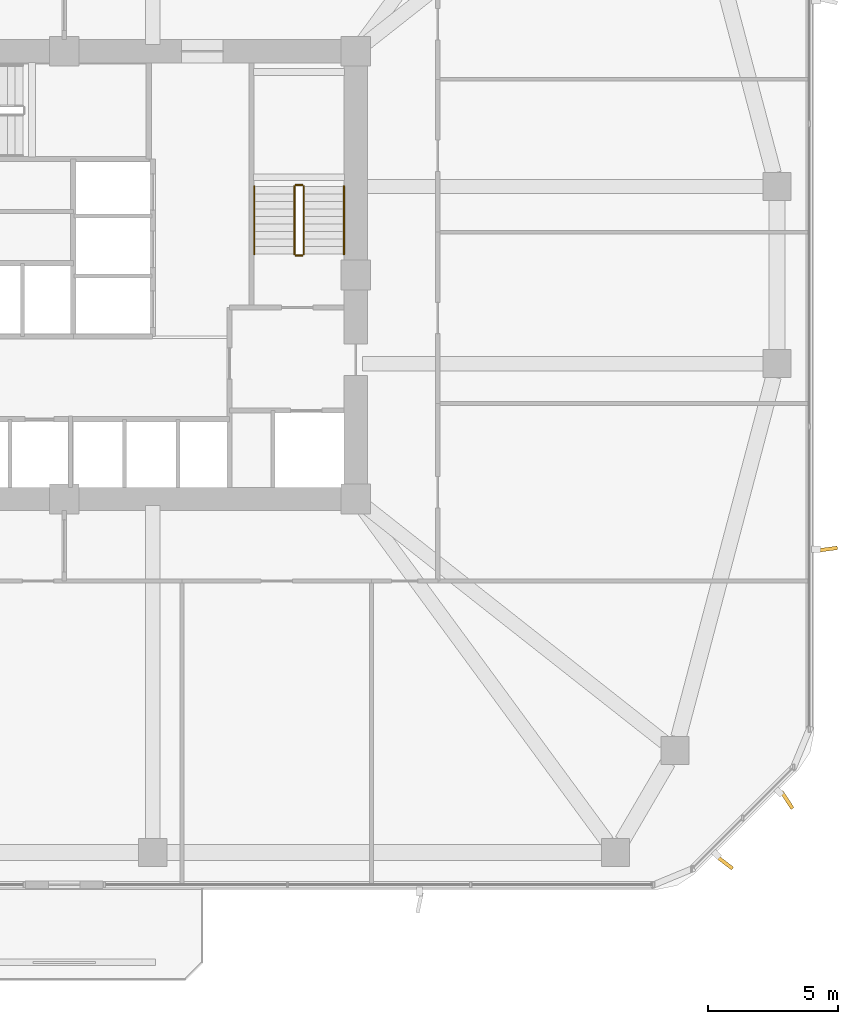
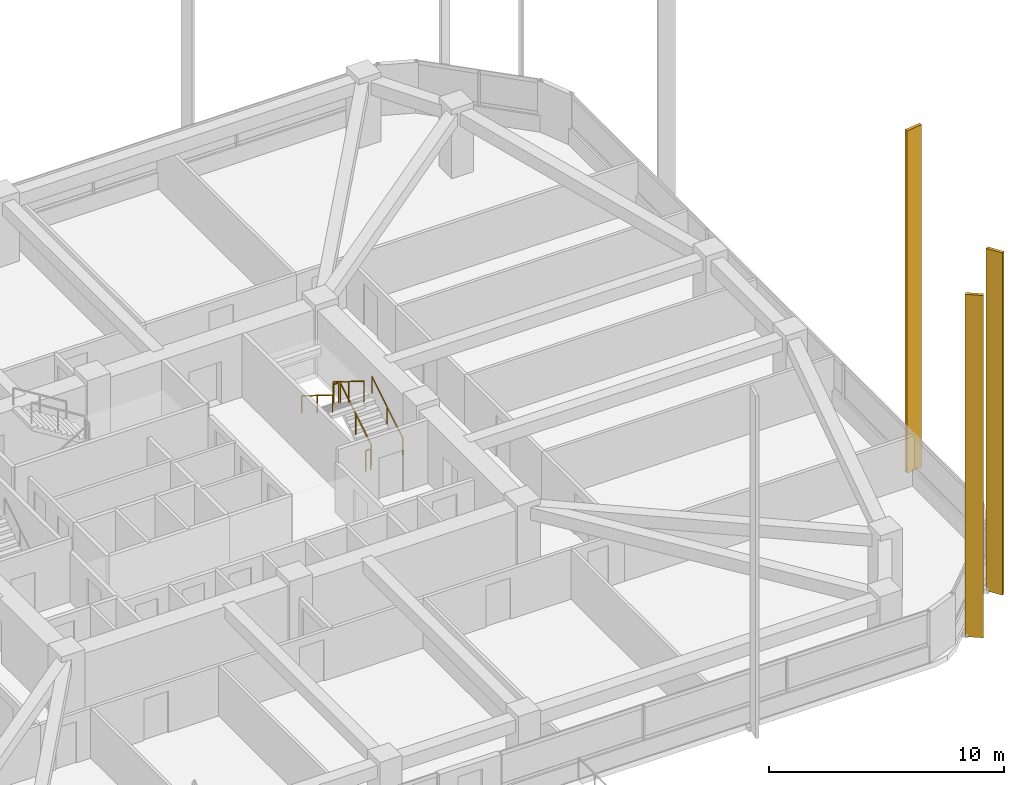
# One storey, part 15 of 17: 6 railings, 3 shading devices.
"""IFC4 building model written with IfcOpenShell, lengths in metres."""

from ifc_helpers import new_model, si_unit, derived_unit, direction, frame, origin, origin_2d, place, context, subcontext, project, spatial, rectangle, extrude, material, type_object, element, save


model = new_model("IFC4")

# Units and contexts
model_context = context("Model", 3, precision=1e-05, world=origin(), true_north=direction((0.0, 1.0)))
body_context = subcontext(model_context, "Body", "Model", "MODEL_VIEW")
ifc_project = project(units=[si_unit("LENGTHUNIT", "METRE"), si_unit("AREAUNIT", "SQUARE_METRE"), si_unit("VOLUMEUNIT", "CUBIC_METRE"), si_unit("PLANEANGLEUNIT", "RADIAN"), si_unit("MASSUNIT", "GRAM", prefix="KILO"), derived_unit("THERMALTRANSMITTANCEUNIT", [(si_unit("POWERUNIT", "WATT"), 1), (si_unit("LENGTHUNIT", "METRE"), -2), (si_unit("THERMODYNAMICTEMPERATUREUNIT", "KELVIN"), -1)])], contexts=[model_context])

# Site, building, storey
site_placement = place(None, origin())
site = spatial("IfcSite", under=ifc_project, at=site_placement, CompositionType="ELEMENT")
building_placement = place(site_placement, origin())
building = spatial("IfcBuilding", under=site, at=building_placement, Name="Koralith Skygarden Medical Center", CompositionType="ELEMENT")
storey_placement = place(building_placement, frame((0.0, 0.0, 67.139892578125)))
storey = spatial("IfcBuildingStorey", under=building, at=storey_placement, Name="L17", CompositionType="ELEMENT", Elevation=67.139892578125)

# Shading devices
ifc_material_1 = material(Name="Aluminium 6063-T6", Category="aluminium")
shading_device_type = type_object("IfcShadingDeviceType", Name="Limestone-Clad Solar Storm Fin 780", PredefinedType="USERDEFINED", material=ifc_material_1)
for number, where, z_axis, x_axis, name in (
    (1, (62.362060546875, 3.340087890625, -0.199951171875), (0.0, 0.0, 1.0), (0.795758957826, -0.605613474948, 0.0), "L17 SE Harmonic Solar Storm Fin 1"),
    (2, (64.760009765625, 5.738037109375, -0.199951171875), (0.0, 0.0, 1.0), (0.549489535238, -0.835500598841, 0.0), "L17 SE Harmonic Solar Storm Fin 2"),
    (3, (66.31005859375, 15.3701171875, -0.199951171875), (0.0, 0.0, 1.0), (0.990919950183, 0.134453160355, 0.0), "L17 E Harmonic Solar Storm Fin 1"),
):
    element("IfcShadingDevice", number, at=place(storey_placement, frame(where, z_axis=z_axis, x_axis=x_axis)), inside=storey, type_object=shading_device_type, Name=name, ObjectType="SOLAR FIN", PredefinedType="USERDEFINED", context=body_context, shape_type="SweptSolid", body=[
        extrude(rectangle(XDim=0.780029296875, YDim=0.139892578125, at=origin_2d()), origin(), (0.0, 0.0, 1.0), 17.7900390625),
    ])

# Railings
ifc_material_2 = material(Name="Steel ASTM A500 Grade C", Category="steel")
railing_type_1 = type_object("IfcRailingType", Name="Stair Flight Tubular Handrail 920", PredefinedType="HANDRAIL", material=ifc_material_2)
railing_1_placement = place(storey_placement, frame((47.75, 26.699951171875, 0.18017578125)))
element("IfcRailing", 4, at=railing_1_placement, inside=storey, type_object=railing_type_1, Name="L17 ST2 stair handrail 1", PredefinedType="HANDRAIL", context=body_context, shape_type="SweptSolid", body=[
    extrude(rectangle(XDim=0.050048828125, YDim=0.050048828125, at=origin_2d()), frame((0.0, 0.001708984375, 0.89599609375), z_axis=(0.0, 0.849668407637, 0.527317358963), x_axis=(-1.0, 0.0, 0.0)), (0.0, 0.0, 1.0), 3.06787109375),
    extrude(rectangle(XDim=0.0419921875, YDim=0.0419921875, at=origin_2d()), origin(), (0.0, 0.0, 1.0), 0.867919921875),
    extrude(rectangle(XDim=0.0419921875, YDim=0.0419921875, at=origin_2d()), frame((0.0, 1.30517578125, 0.81005859375)), (0.0, 0.0, 1.0), 0.867919921875),
    extrude(rectangle(XDim=0.0419921875, YDim=0.0419921875, at=origin_2d()), frame((0.0, 2.610107421875, 1.619873046875)), (0.0, 0.0, 1.0), 0.867919921875),
])
railing_2_placement = place(storey_placement, frame((44.300048828125, 29.31005859375, 1.980224609375)))
element("IfcRailing", 5, at=railing_2_placement, inside=storey, type_object=railing_type_1, Name="L17 ST2 stair handrail 2", PredefinedType="HANDRAIL", context=body_context, shape_type="SweptSolid", body=[
    extrude(rectangle(XDim=0.050048828125, YDim=0.050048828125, at=origin_2d()), frame((0.0, -0.001708984375, 0.89599609375), z_axis=(0.0, -0.849668407637, 0.527317358963), x_axis=(1.0, 0.0, 0.0)), (0.0, 0.0, 1.0), 3.06787109375),
    extrude(rectangle(XDim=0.0419921875, YDim=0.0419921875, at=origin_2d()), origin(), (0.0, 0.0, 1.0), 0.867919921875),
    extrude(rectangle(XDim=0.0419921875, YDim=0.0419921875, at=origin_2d()), frame((0.0, -1.30517578125, 0.81005859375)), (0.0, 0.0, 1.0), 0.867919921875),
    extrude(rectangle(XDim=0.0419921875, YDim=0.0419921875, at=origin_2d()), frame((0.0, -2.610107421875, 1.619873046875)), (0.0, 0.0, 1.0), 0.867919921875),
])
railing_type_2 = type_object("IfcRailingType", Name="Stair Well Safety Guardrail 1100", PredefinedType="GUARDRAIL", material=ifc_material_2)
railing_3_placement = place(storey_placement, frame((46.199951171875, 26.699951171875, 0.18017578125)))
element("IfcRailing", 6, at=railing_3_placement, inside=storey, type_object=railing_type_2, Name="L17 ST2 stair guard 1", PredefinedType="GUARDRAIL", context=body_context, shape_type="SweptSolid", body=[
    extrude(rectangle(XDim=0.050048828125, YDim=0.050048828125, at=origin_2d()), frame((0.0, 0.001708984375, 1.076171875), z_axis=(0.0, 0.849668407637, 0.527317358963), x_axis=(-1.0, 0.0, 0.0)), (0.0, 0.0, 1.0), 3.06787109375),
    extrude(rectangle(XDim=0.0419921875, YDim=0.0419921875, at=origin_2d()), origin(), (0.0, 0.0, 1.0), 1.048095703125),
    extrude(rectangle(XDim=0.0419921875, YDim=0.0419921875, at=origin_2d()), frame((0.0, 1.30517578125, 0.81005859375)), (0.0, 0.0, 1.0), 1.048095703125),
    extrude(rectangle(XDim=0.0419921875, YDim=0.0419921875, at=origin_2d()), frame((0.0, 2.610107421875, 1.619873046875)), (0.0, 0.0, 1.0), 1.048095703125),
])
railing_4_placement = place(storey_placement, frame((46.14990234375, 29.360107421875, 1.800048828125)))
element("IfcRailing", 7, at=railing_4_placement, inside=storey, type_object=railing_type_2, Name="L17 ST2 stair guard 2", PredefinedType="GUARDRAIL", context=body_context, shape_type="SweptSolid", body=[
    extrude(rectangle(XDim=0.050048828125, YDim=0.050048828125, at=origin_2d()), frame((-0.001953125, 0.0, 1.0751953125), z_axis=(-1.0, 0.0, 0.0), x_axis=(0.0, -1.0, 0.0)), (0.0, 0.0, 1.0), 0.24609375),
    extrude(rectangle(XDim=0.0419921875, YDim=0.0419921875, at=origin_2d()), origin(), (0.0, 0.0, 1.0), 1.048095703125),
    extrude(rectangle(XDim=0.0419921875, YDim=0.0419921875, at=origin_2d()), frame((-0.25, 0.0, 0.0)), (0.0, 0.0, 1.0), 1.048095703125),
])
railing_5_placement = place(storey_placement, frame((45.85009765625, 29.31005859375, 1.980224609375)))
element("IfcRailing", 8, at=railing_5_placement, inside=storey, type_object=railing_type_2, Name="L17 ST2 stair guard 3", PredefinedType="GUARDRAIL", context=body_context, shape_type="SweptSolid", body=[
    extrude(rectangle(XDim=0.050048828125, YDim=0.050048828125, at=origin_2d()), frame((0.0, -0.001708984375, 1.076171875), z_axis=(0.0, -0.849668407637, 0.527317358963), x_axis=(1.0, 0.0, 0.0)), (0.0, 0.0, 1.0), 3.06787109375),
    extrude(rectangle(XDim=0.0419921875, YDim=0.0419921875, at=origin_2d()), origin(), (0.0, 0.0, 1.0), 1.048095703125),
    extrude(rectangle(XDim=0.0419921875, YDim=0.0419921875, at=origin_2d()), frame((0.0, -1.30517578125, 0.81005859375)), (0.0, 0.0, 1.0), 1.048095703125),
    extrude(rectangle(XDim=0.0419921875, YDim=0.0419921875, at=origin_2d()), frame((0.0, -2.610107421875, 1.619873046875)), (0.0, 0.0, 1.0), 1.048095703125),
])
railing_6_placement = place(storey_placement, frame((46.14990234375, 26.64990234375, 0.0)))
element("IfcRailing", 9, at=railing_6_placement, inside=storey, type_object=railing_type_2, Name="L17 ST2 stair guard 4", PredefinedType="GUARDRAIL", context=body_context, shape_type="SweptSolid", body=[
    extrude(rectangle(XDim=0.050048828125, YDim=0.050048828125, at=origin_2d()), frame((-0.001953125, 0.0, 1.0751953125), z_axis=(-1.0, 0.0, 0.0), x_axis=(0.0, -1.0, 0.0)), (0.0, 0.0, 1.0), 0.24609375),
    extrude(rectangle(XDim=0.0419921875, YDim=0.0419921875, at=origin_2d()), origin(), (0.0, 0.0, 1.0), 1.048095703125),
    extrude(rectangle(XDim=0.0419921875, YDim=0.0419921875, at=origin_2d()), frame((-0.25, 0.0, 0.0)), (0.0, 0.0, 1.0), 1.048095703125),
])

save(model, "model.ifc")
